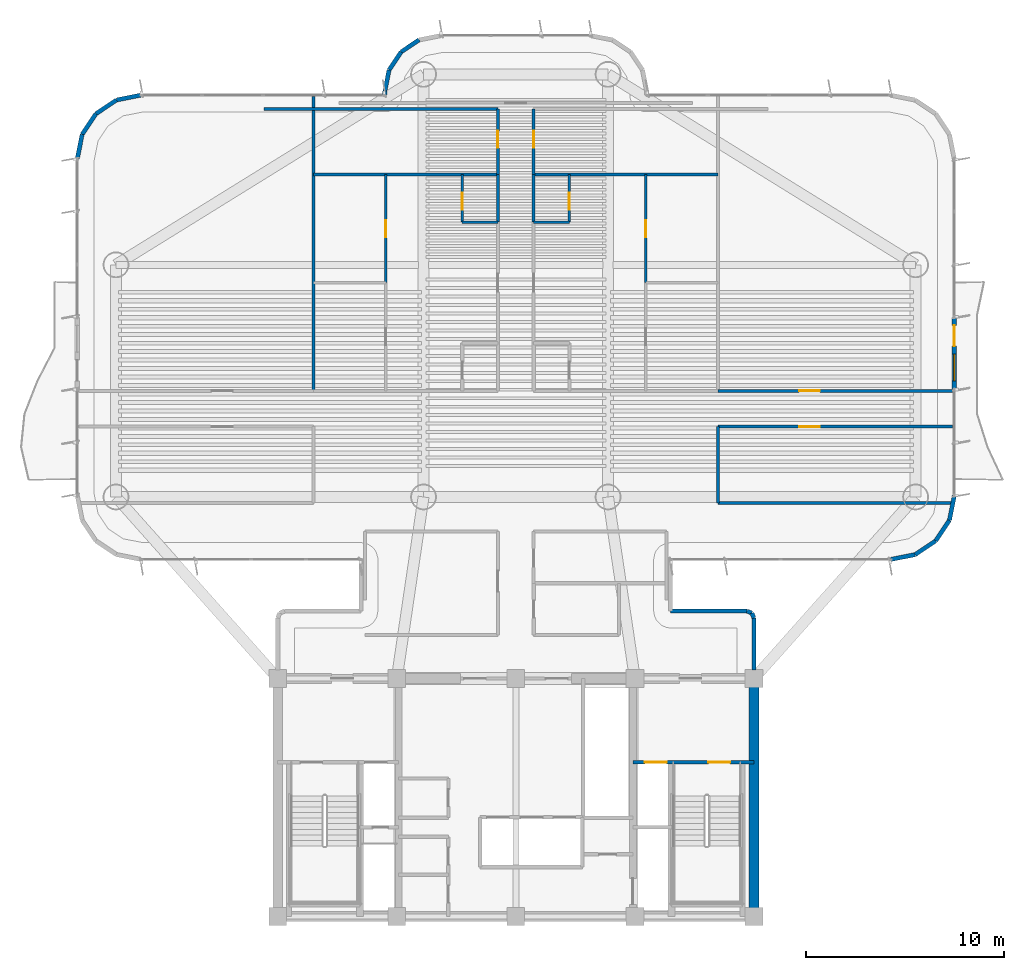
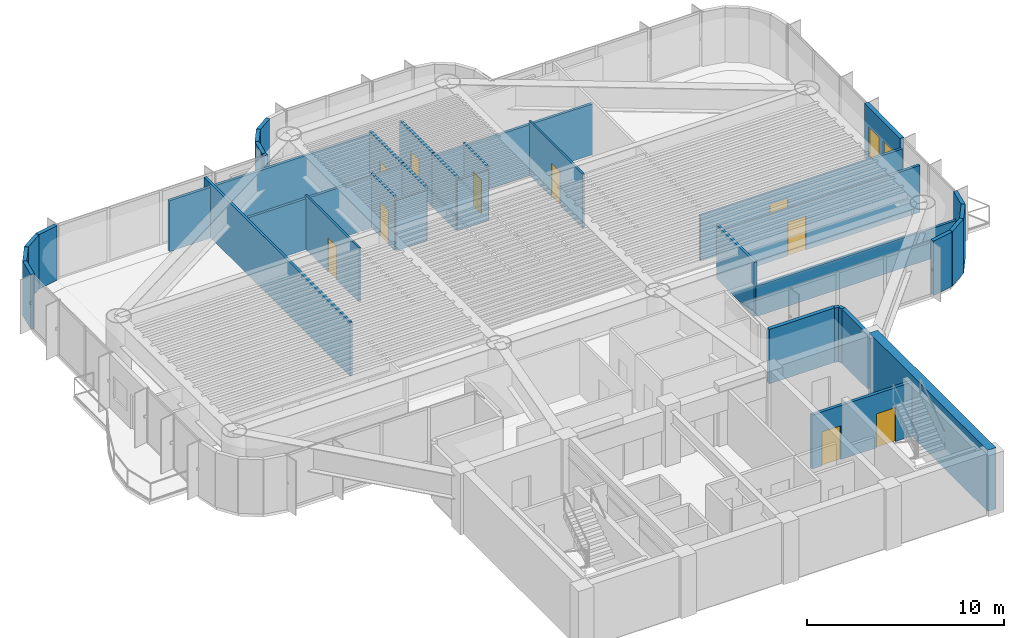
# One storey, part 10 of 15: 37 walls, 11 doors, 1 window, 12 openings.
"""IFC4 building model written with IfcOpenShell, lengths in metres."""

from ifc_helpers import new_model, si_unit, direction, frame, frame_2d, origin, origin_2d, place, context, subcontext, project, spatial, rectangle, extrude, source, transform, mapped, material, layer, layer_set, type_object, element, fill, save


model = new_model("IFC4")

# Units and contexts
model_context = context("Model", 3, precision=1e-05, world=origin(), true_north=direction((0.0, 1.0)))
body_context = subcontext(model_context, "Body", "Model", "MODEL_VIEW")
ifc_project = project(units=[si_unit("LENGTHUNIT", "METRE"), si_unit("AREAUNIT", "SQUARE_METRE"), si_unit("VOLUMEUNIT", "CUBIC_METRE"), si_unit("PLANEANGLEUNIT", "RADIAN"), si_unit("MASSUNIT", "GRAM", prefix="KILO")], contexts=[model_context])

# Site, building, storey
site_placement = place(None, origin())
site = spatial("IfcSite", under=ifc_project, at=site_placement, CompositionType="ELEMENT")
building_placement = place(site_placement, origin())
building = spatial("IfcBuilding", under=site, at=building_placement, Name="Brelvock Crest Care Tower", CompositionType="ELEMENT")
storey_placement = place(building_placement, frame((0.0, 0.0, 142.739990234375)))
storey = spatial("IfcBuildingStorey", under=building, at=storey_placement, Name="L36", CompositionType="ELEMENT", Elevation=142.739990234375)

# Wall
ifc_material_1 = material(Name="Concrete S80 (80 MPa)", Category="concrete")
ifc_layer_1 = layer(ifc_material_1, 0.5, Name="WL-CS2")
ifc_layer_set_1 = layer_set([ifc_layer_1], Name="Concrete S80 (80 MPa)")
wall_type_1 = type_object("IfcWallType", Name="WL-CS2", PredefinedType="SHEAR", material=ifc_layer_set_1)
wall_1_placement = place(storey_placement, frame((48.0, 18.0, 0.0), z_axis=(0.0, 0.0, 1.0), x_axis=(0.0, -1.0, 0.0)))
element("IfcWall", 1, at=wall_1_placement, inside=storey, type_object=wall_type_1, Name="L36 Core East Shear Wall", PredefinedType="SHEAR", context=body_context, shape_type="SweptSolid", body=[
    extrude(rectangle(XDim=12.0, YDim=0.5, at=frame_2d((6.0, 0.0))), origin(), (0.0, 0.0, 1.0), 3.780029296875),
])

# Wall, openings, door, window
ifc_material_2 = material(Name="Precast concrete N40 (40 MPa)", Category="concrete")
ifc_layer_2 = layer(ifc_material_2, 0.239990234375, Name="WL-EX1")
ifc_layer_set_2 = layer_set([ifc_layer_2], Name="Precast concrete N40 (40 MPa)")
wall_type_2 = type_object("IfcWallType", Name="WL-EX1", PredefinedType="SOLIDWALL", material=ifc_layer_set_2)
wall_2_placement = place(storey_placement, frame((58.10009765625, 36.199951171875, 0.0), z_axis=(0.0, 0.0, 1.0), x_axis=(0.0, -1.0, 0.0)))
wall_2 = element("IfcWall", 2, at=wall_2_placement, inside=storey, type_object=wall_type_2, Name="L36 Exterior Spandrel Wall WL-BAL-L36-E", PredefinedType="SOLIDWALL", context=body_context, shape_type="SweptSolid", body=[
    extrude(rectangle(XDim=3.599853515625, YDim=0.239990234375, at=frame_2d((1.7998046875, 0.0))), origin(), (0.0, 0.0, 1.0), 3.3720703125),
])
opening_1_placement = place(wall_2_placement, frame((0.39990234375, 0.0, 0.0)))
opening_1 = element("IfcOpeningElement", 3, at=opening_1_placement, cuts=wall_2, Name="Opening BD-1", PredefinedType="OPENING", context=body_context, shape_type="SweptSolid", body=[
    extrude(rectangle(XDim=1.050048828125, YDim=2.14990234375, at=origin_2d()), frame((0.52490234375, 0.1298828125, 1.074951171875), z_axis=(0.0, -1.0, 0.0), x_axis=(1.0, 0.0, 0.0)), (0.0, 0.0, 1.0), 0.260009765625),
])
opening_2_placement = place(wall_2_placement, frame((1.85009765625, 0.0, 0.85009765625)))
opening_2 = element("IfcOpeningElement", 4, at=opening_2_placement, cuts=wall_2, Name="Opening W-01", PredefinedType="OPENING", context=body_context, shape_type="SweptSolid", body=[
    extrude(rectangle(XDim=1.35009765625, YDim=1.35009765625, at=origin_2d()), frame((0.675048828125, 0.1298828125, 0.675048828125), z_axis=(0.0, -1.0, 0.0), x_axis=(1.0, 0.0, 0.0)), (0.0, 0.0, 1.0), 0.260009765625),
])
ifc_material_3 = material(Name="Dark Glass Double Glazed Low-E", Category="glass")
door_type_1 = type_object("IfcDoorType", Name="DR-BAL1", OperationType="NOTDEFINED", PredefinedType="DOOR", material=ifc_material_3)
shared_shape_1 = source(origin(), body_context, "Body", "SweptSolid", [
    extrude(rectangle(XDim=1.050048828125, YDim=2.14990234375, at=origin_2d()), frame((0.52490234375, 0.02490234375, 1.074951171875), z_axis=(0.0, -1.0, 0.0), x_axis=(1.0, 0.0, 0.0)), (0.0, 0.0, 1.0), 0.050048828125),
])
door_1_placement = place(opening_1_placement, origin())
door_1 = element("IfcDoor", 5, at=door_1_placement, inside=storey, type_object=door_type_1, Name="L36 E Wave Balcony Glazed Door", OperationType="SINGLE_SWING_RIGHT", OverallHeight=2.14990234375, OverallWidth=1.050048828125, PredefinedType="DOOR", context=body_context, shape_type="MappedRepresentation", body=[
    mapped(shared_shape_1, transform((0.0, 0.0, 0.0), x_axis=(1.0, 0.0, 0.0), y_axis=(0.0, 1.0, 0.0), z_axis=(0.0, 0.0, 1.0), scale=1.0)),
])
fill(opening_1, door_1)
window_type = type_object("IfcWindowType", Name="WN-EX1", PartitioningType="SINGLE_PANEL", PredefinedType="WINDOW", material=ifc_material_3)
shared_shape_2 = source(origin(), body_context, "Body", "SweptSolid", [
    extrude(rectangle(XDim=1.35009765625, YDim=1.35009765625, at=origin_2d()), frame((0.675048828125, 0.030029296875, 0.675048828125), z_axis=(0.0, -1.0, 0.0), x_axis=(1.0, 0.0, 0.0)), (0.0, 0.0, 1.0), 0.06005859375),
])
window_placement = place(opening_2_placement, origin())
window = element("IfcWindow", 6, at=window_placement, inside=storey, type_object=window_type, Name="L36 E Suite Casement Window", OverallHeight=1.35009765625, OverallWidth=1.35009765625, PartitioningType="SINGLE_PANEL", PredefinedType="WINDOW", context=body_context, shape_type="MappedRepresentation", body=[
    mapped(shared_shape_2, transform((0.0, 0.0, 0.0), x_axis=(1.0, 0.0, 0.0), y_axis=(0.0, 1.0, 0.0), z_axis=(0.0, 0.0, 1.0), scale=1.0)),
])
fill(opening_2, window)

# Walls
ifc_layer_3 = layer(ifc_material_2, 0.215087890625, Name="WL-EX2")
ifc_layer_set_3 = layer_set([ifc_layer_3], Name="Precast concrete N40 (40 MPa)")
wall_type_3 = type_object("IfcWallType", Name="WL-EX2", PredefinedType="SOLIDWALL", material=ifc_layer_set_3)
wall_3_placement = place(storey_placement, frame((47.8974609375, 21.297607421875, 0.0), z_axis=(0.0, 0.0, 1.0), x_axis=(0.382673670509, -0.923883575944, 0.0)))
element("IfcWall", 7, at=wall_3_placement, inside=storey, type_object=wall_type_3, Name="L36 Rounded Corner Wall 00", PredefinedType="SOLIDWALL", context=body_context, shape_type="SweptSolid", body=[
    extrude(rectangle(XDim=0.26806640625, YDim=0.215087890625, at=frame_2d((0.134033203125, 0.0))), origin(), (0.0, 0.0, 1.0), 3.3720703125),
])
wall_4_placement = place(storey_placement, frame((48.0, 21.050048828125, 0.0), z_axis=(0.0, 0.0, 1.0), x_axis=(0.0, -1.0, 0.0)))
element("IfcWall", 8, at=wall_4_placement, inside=storey, type_object=wall_type_3, Name="L36 Rounded Corner Wall 01", PredefinedType="SOLIDWALL", context=body_context, shape_type="SweptSolid", body=[
    extrude(rectangle(XDim=2.6201171875, YDim=0.215087890625, at=frame_2d((1.31005859375, 0.0))), origin(), (0.0, 0.0, 1.0), 3.3720703125),
])
for number, where, z_axis, x_axis, name in (
    (9, (13.89990234375, 44.199951171875, 0.0), (0.0, 0.0, 1.0), (0.195138390419, 0.980775717779, 0.0), "L36 Rounded Corner Wall 18"),
    (10, (14.1435546875, 45.424560546875, 0.0), (0.0, 0.0, 1.0), (0.555692485475, 0.831387912822, 0.0), "L36 Rounded Corner Wall 19"),
    (11, (14.83740234375, 46.462646484375, 0.0), (0.0, 0.0, 1.0), (0.831387912822, 0.555692485475, 0.0), "L36 Rounded Corner Wall 20"),
    (12, (15.87548828125, 47.156494140625, 0.0), (0.0, 0.0, 1.0), (0.980813122964, 0.194950295773, 0.0), "L36 Rounded Corner Wall 21"),
):
    element("IfcWall", number, at=place(storey_placement, frame(where, z_axis=z_axis, x_axis=x_axis)), inside=storey, type_object=wall_type_3, Name=name, PredefinedType="SOLIDWALL", context=body_context, shape_type="SweptSolid", body=[
        extrude(rectangle(XDim=1.24853515625, YDim=0.215087890625, at=frame_2d((0.624267578125, 0.0))), origin(), (0.0, 0.0, 1.0), 3.3720703125),
    ])
wall_5_placement = place(storey_placement, frame((29.39990234375, 47.39990234375, 0.0), z_axis=(0.0, 0.0, 1.0), x_axis=(0.0, 1.0, 0.0)))
element("IfcWall", 13, at=wall_5_placement, inside=storey, type_object=wall_type_3, Name="L36 Rounded Corner Wall 23", PredefinedType="SOLIDWALL", context=body_context, shape_type="SweptSolid", body=[
    extrude(rectangle(XDim=0.2001953125, YDim=0.215087890625, at=frame_2d((0.10009765625, 0.0))), origin(), (0.0, 0.0, 1.0), 3.3720703125),
])
wall_6_placement = place(storey_placement, frame((29.39990234375, 47.60009765625, 0.0), z_axis=(0.0, 0.0, 1.0), x_axis=(0.195127417394, 0.980777900945, 0.0)))
element("IfcWall", 14, at=wall_6_placement, inside=storey, type_object=wall_type_3, Name="L36 Rounded Corner Wall 24", PredefinedType="SOLIDWALL", context=body_context, shape_type="SweptSolid", body=[
    extrude(rectangle(XDim=1.09228515625, YDim=0.215087890625, at=frame_2d((0.546142578125, 0.0))), origin(), (0.0, 0.0, 1.0), 3.3720703125),
])
wall_7_placement = place(storey_placement, frame((29.613037109375, 48.67138671875, 0.0), z_axis=(0.0, 0.0, 1.0), x_axis=(0.555679482341, 0.831396603857, 0.0)))
element("IfcWall", 15, at=wall_7_placement, inside=storey, type_object=wall_type_3, Name="L36 Rounded Corner Wall 25", PredefinedType="SOLIDWALL", context=body_context, shape_type="SweptSolid", body=[
    extrude(rectangle(XDim=1.0927734375, YDim=0.215087890625, at=frame_2d((0.54638671875, 0.0))), origin(), (0.0, 0.0, 1.0), 3.3720703125),
])
wall_8_placement = place(storey_placement, frame((30.22021484375, 49.579833984375, 0.0), z_axis=(0.0, 0.0, 1.0), x_axis=(0.831327592857, 0.555782721353, 0.0)))
element("IfcWall", 16, at=wall_8_placement, inside=storey, type_object=wall_type_3, Name="L36 Rounded Corner Wall 26", PredefinedType="SOLIDWALL", context=body_context, shape_type="SweptSolid", body=[
    extrude(rectangle(XDim=1.092529296875, YDim=0.215087890625, at=frame_2d((0.54638671875, 0.0))), origin(), (0.0, 0.0, 1.0), 3.3720703125),
])
for number, where, z_axis, x_axis, name in (
    (17, (58.10009765625, 27.199951171875, 0.0), (0.0, 0.0, 1.0), (-0.195138390419, -0.980775717779, 0.0), "L36 Rounded Corner Wall 40"),
    (18, (57.8564453125, 25.975341796875, 0.0), (0.0, 0.0, 1.0), (-0.555692485475, -0.831387912822, 0.0), "L36 Rounded Corner Wall 41"),
    (19, (57.16259765625, 24.937255859375, 0.0), (0.0, 0.0, 1.0), (-0.831478245117, -0.555557312883, 0.0), "L36 Rounded Corner Wall 42"),
    (20, (56.12451171875, 24.24365234375, 0.0), (0.0, 0.0, 1.0), (-0.980775717779, -0.195138390419, 0.0), "L36 Rounded Corner Wall 43"),
):
    element("IfcWall", number, at=place(storey_placement, frame(where, z_axis=z_axis, x_axis=x_axis)), inside=storey, type_object=wall_type_3, Name=name, PredefinedType="SOLIDWALL", context=body_context, shape_type="SweptSolid", body=[
        extrude(rectangle(XDim=1.24853515625, YDim=0.215087890625, at=frame_2d((0.624267578125, 0.0))), origin(), (0.0, 0.0, 1.0), 3.3720703125),
    ])
wall_9_placement = place(storey_placement, frame((43.800048828125, 21.39990234375, 0.0), z_axis=(0.0, 0.0, 1.0), x_axis=(1.0, 0.0, 0.0)))
element("IfcWall", 21, at=wall_9_placement, inside=storey, type_object=wall_type_3, Name="L36 Rounded Corner Wall 46", PredefinedType="SOLIDWALL", context=body_context, shape_type="SweptSolid", body=[
    extrude(rectangle(XDim=3.849853515625, YDim=0.215087890625, at=frame_2d((1.9248046875, 0.0))), origin(), (0.0, 0.0, 1.0), 3.3720703125),
])
wall_10_placement = place(storey_placement, frame((47.64990234375, 21.39990234375, 0.0), z_axis=(0.0, 0.0, 1.0), x_axis=(0.924205486139, -0.381895560841, 0.0)))
element("IfcWall", 22, at=wall_10_placement, inside=storey, type_object=wall_type_3, Name="L36 Rounded Corner Wall 47", PredefinedType="SOLIDWALL", context=body_context, shape_type="SweptSolid", body=[
    extrude(rectangle(XDim=0.267822265625, YDim=0.215087890625, at=frame_2d((0.1337890625, 0.0))), origin(), (0.0, 0.0, 1.0), 3.3720703125),
])
ifc_material_4 = material(Name="Masonry Blockwork Acoustic Partition", Category="masonry")
ifc_layer_4 = layer(ifc_material_4, 0.14990234375, Name="WL-INT1")
ifc_layer_set_4 = layer_set([ifc_layer_4], Name="Masonry Blockwork Acoustic Partition")
wall_type_4 = type_object("IfcWallType", Name="WL-INT1", PredefinedType="PARTITIONING", material=ifc_layer_set_4)
wall_11_placement = place(storey_placement, frame((46.199951171875, 26.85009765625, 0.0), z_axis=(0.0, 0.0, 1.0), x_axis=(1.0, 0.0, 0.0)))
element("IfcWall", 23, at=wall_11_placement, inside=storey, type_object=wall_type_4, Name="L36 Interior Wall WL-BX-L36-ISEO-S", PredefinedType="PARTITIONING", context=body_context, shape_type="SweptSolid", body=[
    extrude(rectangle(XDim=11.748779296875, YDim=0.14990234375, at=frame_2d((5.87451171875, 0.0))), origin(), (0.0, 0.0, 1.0), 1.85693359375),
])

# Wall, opening, door
wall_12_placement = place(storey_placement, frame((46.199951171875, 30.699951171875, 0.0), z_axis=(0.0, 0.0, 1.0), x_axis=(1.0, 0.0, 0.0)))
wall_12 = element("IfcWall", 24, at=wall_12_placement, inside=storey, type_object=wall_type_4, Name="L36 Interior Wall WL-RM-L36-ISEO", PredefinedType="PARTITIONING", context=body_context, shape_type="SweptSolid", body=[
    extrude(rectangle(XDim=11.820068359375, YDim=0.14990234375, at=frame_2d((5.91015625, 0.0))), origin(), (0.0, 0.0, 1.0), 2.89697265625),
])
opening_3_placement = place(wall_12_placement, frame((4.074951171875, 0.0, 0.0)))
opening_3 = element("IfcOpeningElement", 25, at=opening_3_placement, cuts=wall_12, Name="Opening CLD-1", PredefinedType="OPENING", context=body_context, shape_type="SweptSolid", body=[
    extrude(rectangle(XDim=1.050048828125, YDim=2.10009765625, at=origin_2d()), frame((0.52490234375, 0.0849609375, 1.050048828125), z_axis=(0.0, -1.0, 0.0), x_axis=(1.0, 0.0, 0.0)), (0.0, 0.0, 1.0), 0.169921875),
])
ifc_material_5 = material(Name="Engineered Hardwood Timber", Category="wood")
door_type_2 = type_object("IfcDoorType", Name="DR-CLN1", OperationType="NOTDEFINED", PredefinedType="DOOR", material=ifc_material_5)
shared_shape_3 = source(origin(), body_context, "Body", "SweptSolid", [
    extrude(rectangle(XDim=1.050048828125, YDim=2.10009765625, at=origin_2d()), frame((0.52490234375, 0.02490234375, 1.050048828125), z_axis=(0.0, -1.0, 0.0), x_axis=(1.0, 0.0, 0.0)), (0.0, 0.0, 1.0), 0.050048828125),
])
door_2_placement = place(opening_3_placement, origin())
door_2 = element("IfcDoor", 26, at=door_2_placement, inside=storey, type_object=door_type_2, Name="L36 Resident Harbour Study Door ISEO", OperationType="SINGLE_SWING_LEFT", OverallHeight=2.10009765625, OverallWidth=1.050048828125, PredefinedType="DOOR", context=body_context, shape_type="MappedRepresentation", body=[
    mapped(shared_shape_3, transform((0.0, 0.0, 0.0), x_axis=(1.0, 0.0, 0.0), y_axis=(0.0, 1.0, 0.0), z_axis=(0.0, 0.0, 1.0), scale=1.0)),
])
fill(opening_3, door_2)

wall_13_placement = place(storey_placement, frame((46.199951171875, 32.5, 0.0), z_axis=(0.0, 0.0, 1.0), x_axis=(1.0, 0.0, 0.0)))
wall_13 = element("IfcWall", 27, at=wall_13_placement, inside=storey, type_object=wall_type_4, Name="L36 Interior Wall WL-RM-L36-INEO", PredefinedType="PARTITIONING", context=body_context, shape_type="SweptSolid", body=[
    extrude(rectangle(XDim=11.820068359375, YDim=0.14990234375, at=frame_2d((5.91015625, 0.0))), origin(), (0.0, 0.0, 1.0), 2.823974609375),
])
opening_4_placement = place(wall_13_placement, frame((4.074951171875, 0.0, 0.0)))
opening_4 = element("IfcOpeningElement", 28, at=opening_4_placement, cuts=wall_13, Name="Opening CLD-1", PredefinedType="OPENING", context=body_context, shape_type="SweptSolid", body=[
    extrude(rectangle(XDim=1.050048828125, YDim=2.10009765625, at=origin_2d()), frame((0.52490234375, 0.0849609375, 1.050048828125), z_axis=(0.0, -1.0, 0.0), x_axis=(1.0, 0.0, 0.0)), (0.0, 0.0, 1.0), 0.169921875),
])
door_3_placement = place(opening_4_placement, origin())
door_3 = element("IfcDoor", 29, at=door_3_placement, inside=storey, type_object=door_type_2, Name="L36 Resident Harbour Study Door INEO", OperationType="SINGLE_SWING_LEFT", OverallHeight=2.10009765625, OverallWidth=1.050048828125, PredefinedType="DOOR", context=body_context, shape_type="MappedRepresentation", body=[
    mapped(shared_shape_3, transform((0.0, 0.0, 0.0), x_axis=(1.0, 0.0, 0.0), y_axis=(0.0, 1.0, 0.0), z_axis=(0.0, 0.0, 1.0), scale=1.0)),
])
fill(opening_4, door_3)

# Walls
for number, where, z_axis, x_axis, name in (
    (30, (25.800048828125, 43.39990234375, 0.0), (0.0, 0.0, 1.0), (1.0, 0.0, 0.0), "L36 Interior Wall WL-BX-L36-FL-INWI-N"),
    (31, (36.89990234375, 43.39990234375, 0.0), (0.0, 0.0, 1.0), (1.0, 0.0, 0.0), "L36 Interior Wall WL-BX-L36-FL-INEI-N"),
):
    element("IfcWall", number, at=place(storey_placement, frame(where, z_axis=z_axis, x_axis=x_axis)), inside=storey, type_object=wall_type_4, Name=name, PredefinedType="PARTITIONING", context=body_context, shape_type="SweptSolid", body=[
        extrude(rectangle(XDim=9.300048828125, YDim=0.14990234375, at=frame_2d((4.64990234375, 0.0))), origin(), (0.0, 0.0, 1.0), 3.14990234375),
    ])
wall_14_placement = place(storey_placement, frame((23.300048828125, 46.699951171875, 0.0), z_axis=(0.0, 0.0, 1.0), x_axis=(1.0, 0.0, 0.0)))
element("IfcWall", 32, at=wall_14_placement, inside=storey, type_object=wall_type_4, Name="L36 Interior Wall WL-BX-L36-INWN-N", PredefinedType="PARTITIONING", context=body_context, shape_type="SweptSolid", body=[
    extrude(rectangle(XDim=11.800048828125, YDim=0.14990234375, at=frame_2d((5.89990234375, 0.0))), origin(), (0.0, 0.0, 1.0), 3.14990234375),
])
wall_15_placement = place(storey_placement, frame((25.800048828125, 32.5, 0.0), z_axis=(0.0, 0.0, 1.0), x_axis=(0.0, 1.0, 0.0)))
element("IfcWall", 33, at=wall_15_placement, inside=storey, type_object=wall_type_4, Name="L36 Interior Wall WL-BX-L36-INWO-E", PredefinedType="PARTITIONING", context=body_context, shape_type="SweptSolid", body=[
    extrude(rectangle(XDim=14.821044921875, YDim=0.14990234375, at=frame_2d((7.41064453125, 0.0))), origin(), (0.0, 0.0, 1.0), 3.342041015625),
])
wall_16_placement = place(storey_placement, frame((35.10009765625, 41.0, 0.0), z_axis=(0.0, 0.0, 1.0), x_axis=(0.0, 1.0, 0.0)))
element("IfcWall", 34, at=wall_16_placement, inside=storey, type_object=wall_type_4, Name="L36 Interior Wall WL-UCK-L36-INWI", PredefinedType="PARTITIONING", context=body_context, shape_type="SweptSolid", body=[
    extrude(rectangle(XDim=2.39990234375, YDim=0.14990234375, at=frame_2d((1.199951171875, 0.0))), origin(), (0.0, 0.0, 1.0), 3.342041015625),
])

# Wall, opening, door
wall_17_placement = place(storey_placement, frame((35.10009765625, 43.39990234375, 0.0), z_axis=(0.0, 0.0, 1.0), x_axis=(0.0, 1.0, 0.0)))
wall_17 = element("IfcWall", 35, at=wall_17_placement, inside=storey, type_object=wall_type_4, Name="L36 Interior Wall WL-RM-L36-INWN", PredefinedType="PARTITIONING", context=body_context, shape_type="SweptSolid", body=[
    extrude(rectangle(XDim=3.300048828125, YDim=0.14990234375, at=frame_2d((1.64990234375, 0.0))), origin(), (0.0, 0.0, 1.0), 3.342041015625),
])
opening_5_placement = place(wall_17_placement, frame((1.340087890625, 0.0, 0.0)))
opening_5 = element("IfcOpeningElement", 36, at=opening_5_placement, cuts=wall_17, Name="Opening ID-1", PredefinedType="OPENING", context=body_context, shape_type="SweptSolid", body=[
    extrude(rectangle(XDim=0.860107421875, YDim=2.10009765625, at=origin_2d()), frame((0.43017578125, 0.0849609375, 1.050048828125), z_axis=(0.0, -1.0, 0.0), x_axis=(1.0, 0.0, 0.0)), (0.0, 0.0, 1.0), 0.169921875),
])
door_type_3 = type_object("IfcDoorType", Name="DR-INT1", OperationType="NOTDEFINED", PredefinedType="DOOR", material=ifc_material_5)
shared_shape_4 = source(origin(), body_context, "Body", "SweptSolid", [
    extrude(rectangle(XDim=0.860107421875, YDim=2.10009765625, at=origin_2d()), frame((0.43017578125, 0.02490234375, 1.050048828125), z_axis=(0.0, -1.0, 0.0), x_axis=(1.0, 0.0, 0.0)), (0.0, 0.0, 1.0), 0.050048828125),
])
door_4_placement = place(opening_5_placement, origin())
door_4 = element("IfcDoor", 37, at=door_4_placement, inside=storey, type_object=door_type_3, Name="L36 Harbour Reading Alcove Door INWN", OperationType="SINGLE_SWING_LEFT", OverallHeight=2.10009765625, OverallWidth=0.860107421875, PredefinedType="DOOR", context=body_context, shape_type="MappedRepresentation", body=[
    mapped(shared_shape_4, transform((0.0, 0.0, 0.0), x_axis=(1.0, 0.0, 0.0), y_axis=(0.0, 1.0, 0.0), z_axis=(0.0, 0.0, 1.0), scale=1.0)),
])
fill(opening_5, door_4)

# Wall
wall_18_placement = place(storey_placement, frame((36.89990234375, 41.0, 0.0), z_axis=(0.0, 0.0, 1.0), x_axis=(0.0, 1.0, 0.0)))
element("IfcWall", 38, at=wall_18_placement, inside=storey, type_object=wall_type_4, Name="L36 Interior Wall WL-UCK-L36-INEI", PredefinedType="PARTITIONING", context=body_context, shape_type="SweptSolid", body=[
    extrude(rectangle(XDim=2.39990234375, YDim=0.14990234375, at=frame_2d((1.199951171875, 0.0))), origin(), (0.0, 0.0, 1.0), 3.342041015625),
])

# Wall, opening, door
wall_19_placement = place(storey_placement, frame((36.89990234375, 43.39990234375, 0.0), z_axis=(0.0, 0.0, 1.0), x_axis=(0.0, 1.0, 0.0)))
wall_19 = element("IfcWall", 39, at=wall_19_placement, inside=storey, type_object=wall_type_4, Name="L36 Interior Wall WL-RM-L36-INEN", PredefinedType="PARTITIONING", context=body_context, shape_type="SweptSolid", body=[
    extrude(rectangle(XDim=3.300048828125, YDim=0.14990234375, at=frame_2d((1.64990234375, 0.0))), origin(), (0.0, 0.0, 1.0), 3.342041015625),
])
opening_6_placement = place(wall_19_placement, frame((1.340087890625, 0.0, 0.0)))
opening_6 = element("IfcOpeningElement", 40, at=opening_6_placement, cuts=wall_19, Name="Opening ID-1", PredefinedType="OPENING", context=body_context, shape_type="SweptSolid", body=[
    extrude(rectangle(XDim=0.860107421875, YDim=2.10009765625, at=origin_2d()), frame((0.43017578125, 0.0849609375, 1.050048828125), z_axis=(0.0, -1.0, 0.0), x_axis=(1.0, 0.0, 0.0)), (0.0, 0.0, 1.0), 0.169921875),
])
door_5_placement = place(opening_6_placement, origin())
door_5 = element("IfcDoor", 41, at=door_5_placement, inside=storey, type_object=door_type_3, Name="L36 Botanical Tea Alcove Door INEN", OperationType="SINGLE_SWING_LEFT", OverallHeight=2.10009765625, OverallWidth=0.860107421875, PredefinedType="DOOR", context=body_context, shape_type="MappedRepresentation", body=[
    mapped(shared_shape_4, transform((0.0, 0.0, 0.0), x_axis=(1.0, 0.0, 0.0), y_axis=(0.0, 1.0, 0.0), z_axis=(0.0, 0.0, 1.0), scale=1.0)),
])
fill(opening_6, door_5)

# Walls
wall_20_placement = place(storey_placement, frame((46.199951171875, 26.85009765625, 0.0), z_axis=(0.0, 0.0, 1.0), x_axis=(0.0, 1.0, 0.0)))
element("IfcWall", 42, at=wall_20_placement, inside=storey, type_object=wall_type_4, Name="L36 Interior Wall WL-BX-L36-ISEO-W", PredefinedType="PARTITIONING", context=body_context, shape_type="SweptSolid", body=[
    extrude(rectangle(XDim=3.849853515625, YDim=0.14990234375, at=frame_2d((1.9248046875, 0.0))), origin(), (0.0, 0.0, 1.0), 3.342041015625),
])
ifc_material_6 = material(Name="Gypsum Plasterboard Partition", Category="gypsum")
ifc_layer_5 = layer(ifc_material_6, 0.1201171875, Name="WL-INT2")
ifc_layer_set_5 = layer_set([ifc_layer_5], Name="Gypsum Plasterboard Partition")
wall_type_5 = type_object("IfcWallType", Name="WL-INT2", PredefinedType="PARTITIONING", material=ifc_layer_set_5)
for number, where, z_axis, x_axis, name in (
    (43, (33.300048828125, 41.0, 0.0), (0.0, 0.0, 1.0), (1.0, 0.0, 0.0), "L36 Interior Wall WL-UKIT2-L36-INWI"),
    (44, (36.89990234375, 41.0, 0.0), (0.0, 0.0, 1.0), (1.0, 0.0, 0.0), "L36 Interior Wall WL-UKIT2-L36-INEI"),
):
    element("IfcWall", number, at=place(storey_placement, frame(where, z_axis=z_axis, x_axis=x_axis)), inside=storey, type_object=wall_type_5, Name=name, PredefinedType="PARTITIONING", context=body_context, shape_type="SweptSolid", body=[
        extrude(rectangle(XDim=1.800048828125, YDim=0.1201171875, at=frame_2d((0.89990234375, 0.0))), origin(), (0.0, 0.0, 1.0), 3.10107421875),
    ])

# Wall, opening, door
wall_21_placement = place(storey_placement, frame((29.449951171875, 37.949951171875, 0.0), z_axis=(0.0, 0.0, 1.0), x_axis=(0.0, 1.0, 0.0)))
wall_21 = element("IfcWall", 45, at=wall_21_placement, inside=storey, type_object=wall_type_5, Name="L36 Interior Wall WL-UBD2-L36-INWI", PredefinedType="PARTITIONING", context=body_context, shape_type="SweptSolid", body=[
    extrude(rectangle(XDim=5.449951171875, YDim=0.1201171875, at=frame_2d((2.72509765625, 0.0))), origin(), (0.0, 0.0, 1.0), 3.342041015625),
])
opening_7_placement = place(wall_21_placement, frame((2.294921875, 0.0, 0.0)))
opening_7 = element("IfcOpeningElement", 46, at=opening_7_placement, cuts=wall_21, Name="Opening ID-1", PredefinedType="OPENING", context=body_context, shape_type="SweptSolid", body=[
    extrude(rectangle(XDim=0.860107421875, YDim=2.10009765625, at=origin_2d()), frame((0.43017578125, 0.070068359375, 1.050048828125), z_axis=(0.0, -1.0, 0.0), x_axis=(1.0, 0.0, 0.0)), (0.0, 0.0, 1.0), 0.14013671875),
])
door_6_placement = place(opening_7_placement, origin())
door_6 = element("IfcDoor", 47, at=door_6_placement, inside=storey, type_object=door_type_3, Name="L36 Second Room Door INWI", OperationType="SINGLE_SWING_LEFT", OverallHeight=2.10009765625, OverallWidth=0.860107421875, PredefinedType="DOOR", context=body_context, shape_type="MappedRepresentation", body=[
    mapped(shared_shape_4, transform((0.0, 0.0, 0.0), x_axis=(1.0, 0.0, 0.0), y_axis=(0.0, 1.0, 0.0), z_axis=(0.0, 0.0, 1.0), scale=1.0)),
])
fill(opening_7, door_6)

wall_22_placement = place(storey_placement, frame((33.300048828125, 41.0, 0.0), z_axis=(0.0, 0.0, 1.0), x_axis=(0.0, 1.0, 0.0)))
wall_22 = element("IfcWall", 48, at=wall_22_placement, inside=storey, type_object=wall_type_5, Name="L36 Interior Wall WL-UKIT1-L36-INWI", PredefinedType="PARTITIONING", context=body_context, shape_type="SweptSolid", body=[
    extrude(rectangle(XDim=2.39990234375, YDim=0.1201171875, at=frame_2d((1.199951171875, 0.0))), origin(), (0.0, 0.0, 1.0), 3.342041015625),
])
opening_8_placement = place(wall_22_placement, frame((0.6201171875, 0.0, 0.0)))
opening_8 = element("IfcOpeningElement", 49, at=opening_8_placement, cuts=wall_22, Name="Opening ID-1", PredefinedType="OPENING", context=body_context, shape_type="SweptSolid", body=[
    extrude(rectangle(XDim=0.860107421875, YDim=2.10009765625, at=origin_2d()), frame((0.43017578125, 0.070068359375, 1.050048828125), z_axis=(0.0, -1.0, 0.0), x_axis=(1.0, 0.0, 0.0)), (0.0, 0.0, 1.0), 0.14013671875),
])
door_7_placement = place(opening_8_placement, origin())
door_7 = element("IfcDoor", 50, at=door_7_placement, inside=storey, type_object=door_type_3, Name="L36 Kitchen Door INWI", OperationType="SINGLE_SWING_LEFT", OverallHeight=2.10009765625, OverallWidth=0.860107421875, PredefinedType="DOOR", context=body_context, shape_type="MappedRepresentation", body=[
    mapped(shared_shape_4, transform((0.0, 0.0, 0.0), x_axis=(1.0, 0.0, 0.0), y_axis=(0.0, 1.0, 0.0), z_axis=(0.0, 0.0, 1.0), scale=1.0)),
])
fill(opening_8, door_7)

wall_23_placement = place(storey_placement, frame((38.699951171875, 41.0, 0.0), z_axis=(0.0, 0.0, 1.0), x_axis=(0.0, 1.0, 0.0)))
wall_23 = element("IfcWall", 51, at=wall_23_placement, inside=storey, type_object=wall_type_5, Name="L36 Interior Wall WL-UKIT1-L36-INEI", PredefinedType="PARTITIONING", context=body_context, shape_type="SweptSolid", body=[
    extrude(rectangle(XDim=2.39990234375, YDim=0.1201171875, at=frame_2d((1.199951171875, 0.0))), origin(), (0.0, 0.0, 1.0), 3.342041015625),
])
opening_9_placement = place(wall_23_placement, frame((0.6201171875, 0.0, 0.0)))
opening_9 = element("IfcOpeningElement", 52, at=opening_9_placement, cuts=wall_23, Name="Opening ID-1", PredefinedType="OPENING", context=body_context, shape_type="SweptSolid", body=[
    extrude(rectangle(XDim=0.860107421875, YDim=2.10009765625, at=origin_2d()), frame((0.43017578125, 0.070068359375, 1.050048828125), z_axis=(0.0, -1.0, 0.0), x_axis=(1.0, 0.0, 0.0)), (0.0, 0.0, 1.0), 0.14013671875),
])
door_8_placement = place(opening_9_placement, origin())
door_8 = element("IfcDoor", 53, at=door_8_placement, inside=storey, type_object=door_type_3, Name="L36 Kitchen Door INEI", OperationType="SINGLE_SWING_RIGHT", OverallHeight=2.10009765625, OverallWidth=0.860107421875, PredefinedType="DOOR", context=body_context, shape_type="MappedRepresentation", body=[
    mapped(shared_shape_4, transform((0.0, 0.0, 0.0), x_axis=(1.0, 0.0, 0.0), y_axis=(0.0, 1.0, 0.0), z_axis=(0.0, 0.0, 1.0), scale=1.0)),
])
fill(opening_9, door_8)

wall_24_placement = place(storey_placement, frame((42.550048828125, 37.949951171875, 0.0), z_axis=(0.0, 0.0, 1.0), x_axis=(0.0, 1.0, 0.0)))
wall_24 = element("IfcWall", 54, at=wall_24_placement, inside=storey, type_object=wall_type_5, Name="L36 Interior Wall WL-UBD2-L36-INEI", PredefinedType="PARTITIONING", context=body_context, shape_type="SweptSolid", body=[
    extrude(rectangle(XDim=5.449951171875, YDim=0.1201171875, at=frame_2d((2.72509765625, 0.0))), origin(), (0.0, 0.0, 1.0), 3.342041015625),
])
opening_10_placement = place(wall_24_placement, frame((2.294921875, 0.0, 0.0)))
opening_10 = element("IfcOpeningElement", 55, at=opening_10_placement, cuts=wall_24, Name="Opening ID-1", PredefinedType="OPENING", context=body_context, shape_type="SweptSolid", body=[
    extrude(rectangle(XDim=0.860107421875, YDim=2.10009765625, at=origin_2d()), frame((0.43017578125, 0.070068359375, 1.050048828125), z_axis=(0.0, -1.0, 0.0), x_axis=(1.0, 0.0, 0.0)), (0.0, 0.0, 1.0), 0.14013671875),
])
door_9_placement = place(opening_10_placement, origin())
door_9 = element("IfcDoor", 56, at=door_9_placement, inside=storey, type_object=door_type_3, Name="L36 Second Room Door INEI", OperationType="SINGLE_SWING_LEFT", OverallHeight=2.10009765625, OverallWidth=0.860107421875, PredefinedType="DOOR", context=body_context, shape_type="MappedRepresentation", body=[
    mapped(shared_shape_4, transform((0.0, 0.0, 0.0), x_axis=(1.0, 0.0, 0.0), y_axis=(0.0, 1.0, 0.0), z_axis=(0.0, 0.0, 1.0), scale=1.0)),
])
fill(opening_10, door_9)

# Wall, openings, doors
ifc_layer_6 = layer(ifc_material_4, 0.179931640625, Name="WL-SHF1")
ifc_layer_set_6 = layer_set([ifc_layer_6], Name="Masonry Blockwork Acoustic Partition")
wall_type_6 = type_object("IfcWallType", Name="WL-SHF1", PredefinedType="PARTITIONING", material=ifc_layer_set_6)
wall_25_placement = place(storey_placement, frame((41.89990234375, 13.780029296875, 0.0), z_axis=(0.0, 0.0, 1.0), x_axis=(1.0, 0.0, 0.0)))
wall_25 = element("IfcWall", 57, at=wall_25_placement, inside=storey, type_object=wall_type_6, Name="L36 Interior Wall WL-ST2-N-L36", PredefinedType="PARTITIONING", context=body_context, shape_type="SweptSolid", body=[
    extrude(rectangle(XDim=6.10009765625, YDim=0.179931640625, at=frame_2d((3.050048828125, 0.0))), origin(), (0.0, 0.0, 1.0), 3.342041015625),
])
opening_11_placement = place(wall_25_placement, frame((0.60009765625, 0.0, 0.0)))
opening_11 = element("IfcOpeningElement", 58, at=opening_11_placement, cuts=wall_25, Name="Opening LD", PredefinedType="OPENING", context=body_context, shape_type="SweptSolid", body=[
    extrude(rectangle(XDim=1.10009765625, YDim=2.10009765625, at=origin_2d()), frame((0.550048828125, 0.10009765625, 1.050048828125), z_axis=(0.0, -1.0, 0.0), x_axis=(1.0, 0.0, 0.0)), (0.0, 0.0, 1.0), 0.199951171875),
])
opening_12_placement = place(wall_25_placement, frame((3.800048828125, 0.0, 0.0)))
opening_12 = element("IfcOpeningElement", 59, at=opening_12_placement, cuts=wall_25, Name="Opening SD-1", PredefinedType="OPENING", context=body_context, shape_type="SweptSolid", body=[
    extrude(rectangle(XDim=1.10009765625, YDim=2.10009765625, at=origin_2d()), frame((0.550048828125, 0.10009765625, 1.050048828125), z_axis=(0.0, -1.0, 0.0), x_axis=(1.0, 0.0, 0.0)), (0.0, 0.0, 1.0), 0.199951171875),
])
ifc_material_7 = material(Name="Steel Grade 350", Category="steel")
door_type_4 = type_object("IfcDoorType", Name="DR-ST1", OperationType="NOTDEFINED", PredefinedType="DOOR", material=ifc_material_7)
shared_shape_5 = source(origin(), body_context, "Body", "SweptSolid", [
    extrude(rectangle(XDim=1.10009765625, YDim=2.10009765625, at=origin_2d()), frame((0.550048828125, 0.02490234375, 1.050048828125), z_axis=(0.0, -1.0, 0.0), x_axis=(1.0, 0.0, 0.0)), (0.0, 0.0, 1.0), 0.050048828125),
])
door_10_placement = place(opening_12_placement, origin())
door_10 = element("IfcDoor", 60, at=door_10_placement, inside=storey, type_object=door_type_4, Name="L36 Fire Stair ST-2 Door", OperationType="SINGLE_SWING_RIGHT", OverallHeight=2.10009765625, OverallWidth=1.10009765625, PredefinedType="DOOR", context=body_context, shape_type="MappedRepresentation", body=[
    mapped(shared_shape_5, transform((0.0, 0.0, 0.0), x_axis=(1.0, 0.0, 0.0), y_axis=(0.0, 1.0, 0.0), z_axis=(0.0, 0.0, 1.0), scale=1.0)),
])
fill(opening_12, door_10)
door_type_5 = type_object("IfcDoorType", Name="DR-LD1", OperationType="NOTDEFINED", PredefinedType="DOOR", material=ifc_material_7)
shared_shape_6 = source(origin(), body_context, "Body", "SweptSolid", [
    extrude(rectangle(XDim=1.10009765625, YDim=2.10009765625, at=origin_2d()), frame((0.550048828125, 0.02490234375, 1.050048828125), z_axis=(0.0, -1.0, 0.0), x_axis=(1.0, 0.0, 0.0)), (0.0, 0.0, 1.0), 0.050048828125),
])
door_11_placement = place(opening_11_placement, origin())
door_11 = element("IfcDoor", 61, at=door_11_placement, inside=storey, type_object=door_type_5, Name="L36 Firefighting Lift FFL-2 Landing Door", OperationType="SLIDING_TO_RIGHT", OverallHeight=2.10009765625, OverallWidth=1.10009765625, PredefinedType="DOOR", context=body_context, shape_type="MappedRepresentation", body=[
    mapped(shared_shape_6, transform((0.0, 0.0, 0.0), x_axis=(1.0, 0.0, 0.0), y_axis=(0.0, 1.0, 0.0), z_axis=(0.0, 0.0, 1.0), scale=1.0)),
])
fill(opening_11, door_11)

save(model, "model.ifc")
